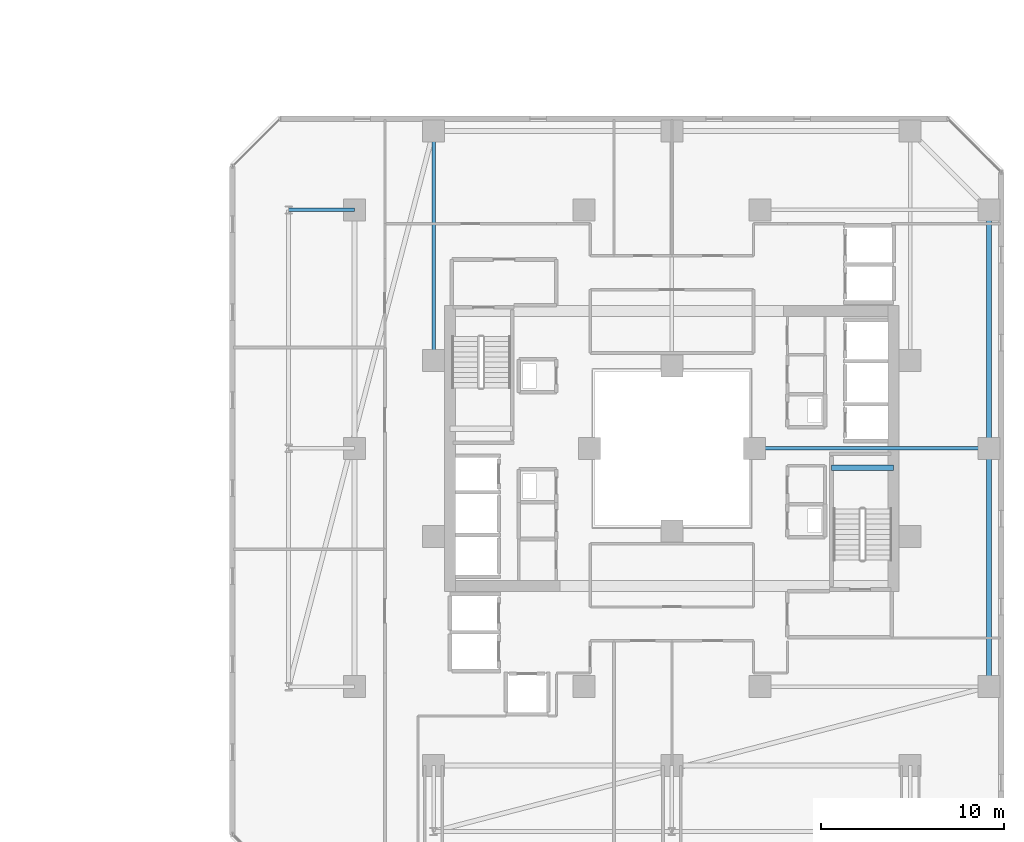
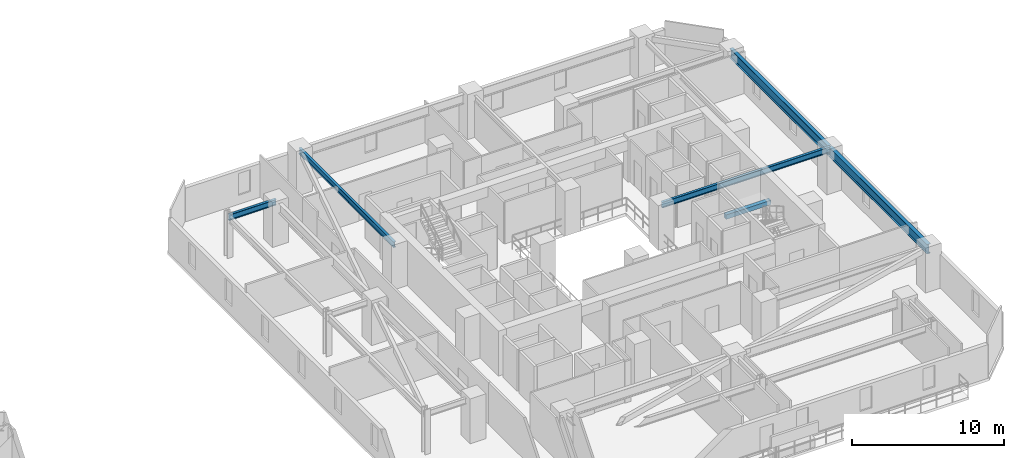
# One storey, part 14 of 33: 6 beams.
"""IFC4 building model written with IfcOpenShell, lengths in metres."""

from ifc_helpers import new_model, si_unit, direction, frame, origin, origin_2d, place, context, subcontext, project, spatial, rectangle, i_section, extrude, material, material_profile, profile_set, type_object, element, save


model = new_model("IFC4")

# Units and contexts
model_context = context("Model", 3, precision=1e-05, world=origin(), true_north=direction((0.0, 1.0)))
body_context = subcontext(model_context, "Body", "Model", "MODEL_VIEW")
ifc_project = project(units=[si_unit("LENGTHUNIT", "METRE"), si_unit("AREAUNIT", "SQUARE_METRE"), si_unit("VOLUMEUNIT", "CUBIC_METRE"), si_unit("PLANEANGLEUNIT", "RADIAN"), si_unit("MASSUNIT", "GRAM", prefix="KILO")], contexts=[model_context])

# Site, building, storey
site_placement = place(None, origin())
site = spatial("IfcSite", under=ifc_project, at=site_placement, CompositionType="ELEMENT")
building_placement = place(site_placement, origin())
building = spatial("IfcBuilding", under=site, at=building_placement, Name="Thornwick Lancets Civic Towers", CompositionType="ELEMENT")
storey_placement = place(building_placement, frame((0.0, 0.0, 112.5)))
storey = spatial("IfcBuildingStorey", under=building, at=storey_placement, Name="L29", CompositionType="ELEMENT", Elevation=112.5)

# Beams
ifc_material_1 = material(Name="Steel S355JR", Category="steel")
ifc_material_profile_1 = material_profile(ifc_material_1, i_section(OverallWidth=0.26806640625, OverallDepth=0.769775390625, WebThickness=0.015625, FlangeThickness=0.025390625, FilletRadius=0.0166015625, at=origin_2d()), Name="UKB 762x267x197")
ifc_profile_set_1 = profile_set([ifc_material_profile_1], Name="Steel S355JR")
beam_type_1 = type_object("IfcBeamType", Name="BM_GIRD_762_197", PredefinedType="BEAM", material=ifc_profile_set_1)
beam_1_placement = place(storey_placement, frame((105.800048828125, 14.0, 2.97509765625), z_axis=(0.0, 1.0, 0.0), x_axis=(-1.0, 0.0, 0.0)))
element("IfcBeam", 1, at=beam_1_placement, inside=storey, type_object=beam_type_1, Name="BM-SPINE-L29-B-0-1", PredefinedType="BEAM", context=body_context, shape_type="SweptSolid", body=[
    extrude(i_section(OverallWidth=0.26806640625, OverallDepth=0.769775390625, WebThickness=0.015625, FlangeThickness=0.025390625, FilletRadius=0.0166015625, at=origin_2d()), origin(), (0.0, 0.0, 1.0), 13.0),
])
beam_2_placement = place(storey_placement, frame((105.800048828125, 27.080078125, 2.97509765625), z_axis=(0.0, 1.0, 0.0), x_axis=(-1.0, 0.0, 0.0)))
element("IfcBeam", 2, at=beam_2_placement, inside=storey, type_object=beam_type_1, Name="BM-SPINE-L29-B-1-2", PredefinedType="BEAM", context=body_context, shape_type="SweptSolid", body=[
    extrude(i_section(OverallWidth=0.26806640625, OverallDepth=0.769775390625, WebThickness=0.015625, FlangeThickness=0.025390625, FilletRadius=0.0166015625, at=origin_2d()), origin(), (0.0, 0.0, 1.0), 12.919921875),
])
ifc_material_profile_2 = material_profile(ifc_material_1, i_section(OverallWidth=0.19189453125, OverallDepth=0.46337890625, WebThickness=0.010498046875, FlangeThickness=0.017578125, FilletRadius=0.01025390625, at=origin_2d()), Name="UKB 457x191x89")
ifc_profile_set_2 = profile_set([ifc_material_profile_2], Name="Steel S355JR")
beam_type_2 = type_object("IfcBeamType", Name="BM_JOIST_457_89", PredefinedType="JOIST", material=ifc_profile_set_2)
beam_3_placement = place(storey_placement, frame((93.0, 27.0, 3.12841796875), z_axis=(1.0, 0.0, 0.0), x_axis=(0.0, 1.0, 0.0)))
element("IfcBeam", 3, at=beam_3_placement, inside=storey, type_object=beam_type_2, Name="BM-RADIN-L29-B02", PredefinedType="JOIST", context=body_context, shape_type="SweptSolid", body=[
    extrude(i_section(OverallWidth=0.19189453125, OverallDepth=0.46337890625, WebThickness=0.010498046875, FlangeThickness=0.017578125, FilletRadius=0.01025390625, at=origin_2d()), origin(), (0.0, 0.0, 1.0), 12.800048828125),
])
beam_4_placement = place(storey_placement, frame((75.5, 31.800048828125, 3.12841796875), z_axis=(0.0, 1.0, 0.0), x_axis=(-1.0, 0.0, 0.0)))
element("IfcBeam", 4, at=beam_4_placement, inside=storey, type_object=beam_type_2, Name="BM-RADIN-L29-B06", PredefinedType="JOIST", context=body_context, shape_type="SweptSolid", body=[
    extrude(i_section(OverallWidth=0.19189453125, OverallDepth=0.46337890625, WebThickness=0.010498046875, FlangeThickness=0.017578125, FilletRadius=0.01025390625, at=origin_2d()), origin(), (0.0, 0.0, 1.0), 12.5),
])
beam_5_placement = place(storey_placement, frame((71.199951171875, 40.0, 3.12841796875), z_axis=(-1.0, 0.0, 0.0), x_axis=(0.0, -1.0, 0.0)))
element("IfcBeam", 5, at=beam_5_placement, inside=storey, type_object=beam_type_2, Name="BM-RAD-L29-B09", PredefinedType="JOIST", context=body_context, shape_type="SweptSolid", body=[
    extrude(i_section(OverallWidth=0.19189453125, OverallDepth=0.46337890625, WebThickness=0.010498046875, FlangeThickness=0.017578125, FilletRadius=0.01025390625, at=origin_2d()), origin(), (0.0, 0.0, 1.0), 3.599853515625),
])
ifc_material_2 = material(Name="Concrete C40/50", Category="concrete")
ifc_material_profile_3 = material_profile(ifc_material_2, rectangle(XDim=0.300048828125, YDim=0.35009765625, at=origin_2d()), Name="RC 300x350")
ifc_profile_set_3 = profile_set([ifc_material_profile_3], Name="Concrete C40/50")
beam_type_3 = type_object("IfcBeamType", Name="BM_STAIR_LDG", PredefinedType="BEAM", material=ifc_profile_set_3)
beam_6_placement = place(storey_placement, frame((100.60009765625, 25.93505859375, 1.3779296875), z_axis=(-1.0, 0.0, 0.0), x_axis=(0.0, -1.0, 0.0)))
element("IfcBeam", 6, at=beam_6_placement, inside=storey, type_object=beam_type_3, Name="L29 ST-B1 Landing Support Beam 1", PredefinedType="BEAM", context=body_context, shape_type="SweptSolid", body=[
    extrude(rectangle(XDim=0.300048828125, YDim=0.35009765625, at=origin_2d()), origin(), (0.0, 0.0, 1.0), 3.400146484375),
])

save(model, "model.ifc")
